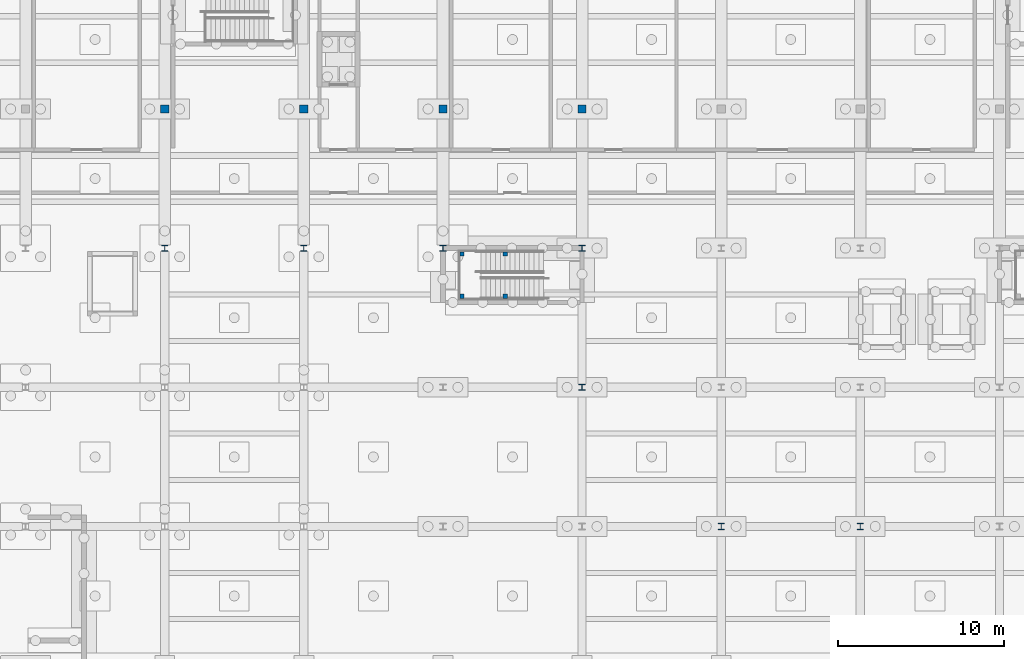
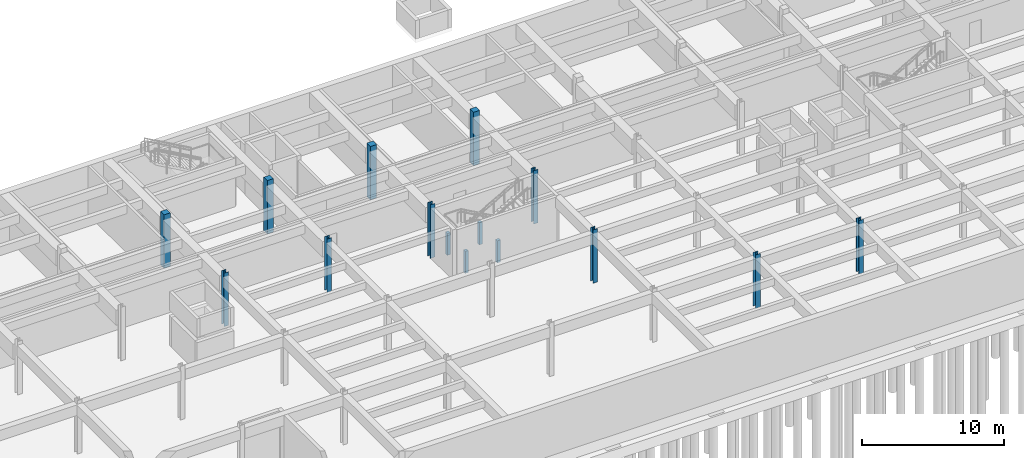
# One storey, part 14 of 33: 15 columns.
"""IFC4 building model written with IfcOpenShell, lengths in metres."""

from ifc_helpers import new_model, si_unit, direction, frame, origin, origin_2d, place, context, subcontext, project, spatial, rectangle, i_section, extrude, material, material_profile, profile_set, type_object, element, save


model = new_model("IFC4")

# Units and contexts
model_context = context("Model", 3, precision=1e-05, world=origin(), true_north=direction((0.0, 1.0)))
body_context = subcontext(model_context, "Body", "Model", "MODEL_VIEW")
ifc_project = project(units=[si_unit("LENGTHUNIT", "METRE"), si_unit("AREAUNIT", "SQUARE_METRE"), si_unit("VOLUMEUNIT", "CUBIC_METRE"), si_unit("PLANEANGLEUNIT", "RADIAN"), si_unit("MASSUNIT", "GRAM", prefix="KILO")], contexts=[model_context])

# Site, building, storey
site_placement = place(None, origin())
site = spatial("IfcSite", under=ifc_project, at=site_placement, CompositionType="ELEMENT")
building_placement = place(site_placement, origin())
building = spatial("IfcBuilding", under=site, at=building_placement, Name="Ljudholm Concert House", CompositionType="ELEMENT")
storey_placement = place(building_placement, frame((0.0, 0.0, -4.60009765625)))
storey = spatial("IfcBuildingStorey", under=building, at=storey_placement, Name="B1", CompositionType="ELEMENT", Elevation=-4.60009765625)

# Columns
ifc_material_1 = material(Name="Concrete 6,500 psi", Category="concrete")
ifc_material_profile_1 = material_profile(ifc_material_1, rectangle(XDim=0.25, YDim=0.25, at=origin_2d()), Name="RC COLUMN 250x250")
ifc_profile_set_1 = profile_set([ifc_material_profile_1], Name="Concrete 6,500 psi")
column_type_1 = type_object("IfcColumnType", Name="RC COLUMN 250x250", PredefinedType="COLUMN", material=ifc_profile_set_1)
for number, where, z_axis, x_axis, name in (
    (1, (55.554931640625, 127.10009765625, 0.0), (0.0, 0.0, 1.0), (1.0, 0.0, 0.0), "Landing support column"),
    (2, (58.1630859375, 127.10009765625, 0.0), (0.0, 0.0, 1.0), (1.0, 0.0, 0.0), "Landing support column"),
    (3, (55.554931640625, 129.64990234375, 0.0), (0.0, 0.0, 1.0), (1.0, 0.0, 0.0), "Landing support column"),
    (4, (58.1630859375, 129.64990234375, 0.0), (0.0, 0.0, 1.0), (1.0, 0.0, 0.0), "Landing support column"),
):
    element("IfcColumn", number, at=place(storey_placement, frame(where, z_axis=z_axis, x_axis=x_axis)), inside=storey, type_object=column_type_1, Name=name, PredefinedType="COLUMN", context=body_context, shape_type="SweptSolid", body=[
        extrude(rectangle(XDim=0.25, YDim=0.25, at=origin_2d()), origin(), (0.0, 0.0, 1.0), 1.89013671875),
    ])
ifc_material_2 = material(Name="Concrete 6,500 psi", Category="concrete")
ifc_material_profile_2 = material_profile(ifc_material_2, rectangle(XDim=0.5, YDim=0.5, at=origin_2d()), Name="RC COLUMN 500x500")
ifc_profile_set_2 = profile_set([ifc_material_profile_2], Name="Concrete 6,500 psi")
column_type_2 = type_object("IfcColumnType", Name="RC COLUMN 500x500", PredefinedType="COLUMN", material=ifc_profile_set_2)
for number, where, z_axis, x_axis, name in (
    (5, (37.60009765625, 138.39990234375, 0.0), (0.0, 0.0, 1.0), (1.0, 0.0, 0.0), "Basement column"),
    (6, (46.0, 138.39990234375, 0.0), (0.0, 0.0, 1.0), (1.0, 0.0, 0.0), "Basement column"),
    (7, (54.39990234375, 138.39990234375, 0.0), (0.0, 0.0, 1.0), (1.0, 0.0, 0.0), "Basement column"),
    (8, (62.800048828125, 138.39990234375, 0.0), (0.0, 0.0, 1.0), (1.0, 0.0, 0.0), "Basement column"),
):
    element("IfcColumn", number, at=place(storey_placement, frame(where, z_axis=z_axis, x_axis=x_axis)), inside=storey, type_object=column_type_2, Name=name, PredefinedType="COLUMN", context=body_context, shape_type="SweptSolid", body=[
        extrude(rectangle(XDim=0.5, YDim=0.5, at=origin_2d()), origin(), (0.0, 0.0, 1.0), 4.60009765625),
    ])
ifc_material_3 = material(Name="Steel ASTM A992", Category="steel")
ifc_material_profile_3 = material_profile(ifc_material_3, i_section(OverallWidth=0.373291015625, OverallDepth=0.373291015625, WebThickness=0.016357421875, FlangeThickness=0.026123046875, FilletRadius=0.01513671875, at=origin_2d()), Name="W14X132")
ifc_profile_set_3 = profile_set([ifc_material_profile_3], Name="Steel ASTM A992")
column_type_3 = type_object("IfcColumnType", Name="STEEL COLUMN W14X132", PredefinedType="COLUMN", material=ifc_profile_set_3)
for number, where, z_axis, x_axis, name in (
    (9, (54.39990234375, 130.0, 0.0), (0.0, 0.0, 1.0), (1.0, 0.0, 0.0), "Basement column"),
    (10, (62.800048828125, 121.60009765625, 0.0), (0.0, 0.0, 1.0), (1.0, 0.0, 0.0), "Basement column"),
    (11, (62.800048828125, 130.0, 0.0), (0.0, 0.0, 1.0), (1.0, 0.0, 0.0), "Basement column"),
    (12, (71.199951171875, 113.199951171875, 0.0), (0.0, 0.0, 1.0), (1.0, 0.0, 0.0), "Basement column"),
    (13, (79.60009765625, 113.199951171875, 0.0), (0.0, 0.0, 1.0), (1.0, 0.0, 0.0), "Basement column"),
    (14, (37.60009765625, 130.0, 0.0), (0.0, 0.0, 1.0), (1.0, 0.0, 0.0), "Basement column"),
    (15, (46.0, 130.0, 0.0), (0.0, 0.0, 1.0), (1.0, 0.0, 0.0), "Basement column"),
):
    element("IfcColumn", number, at=place(storey_placement, frame(where, z_axis=z_axis, x_axis=x_axis)), inside=storey, type_object=column_type_3, Name=name, PredefinedType="COLUMN", context=body_context, shape_type="SweptSolid", body=[
        extrude(i_section(OverallWidth=0.373291015625, OverallDepth=0.373291015625, WebThickness=0.016357421875, FlangeThickness=0.026123046875, FilletRadius=0.01513671875, at=origin_2d()), origin(), (0.0, 0.0, 1.0), 4.60009765625),
    ])

save(model, "model.ifc")
